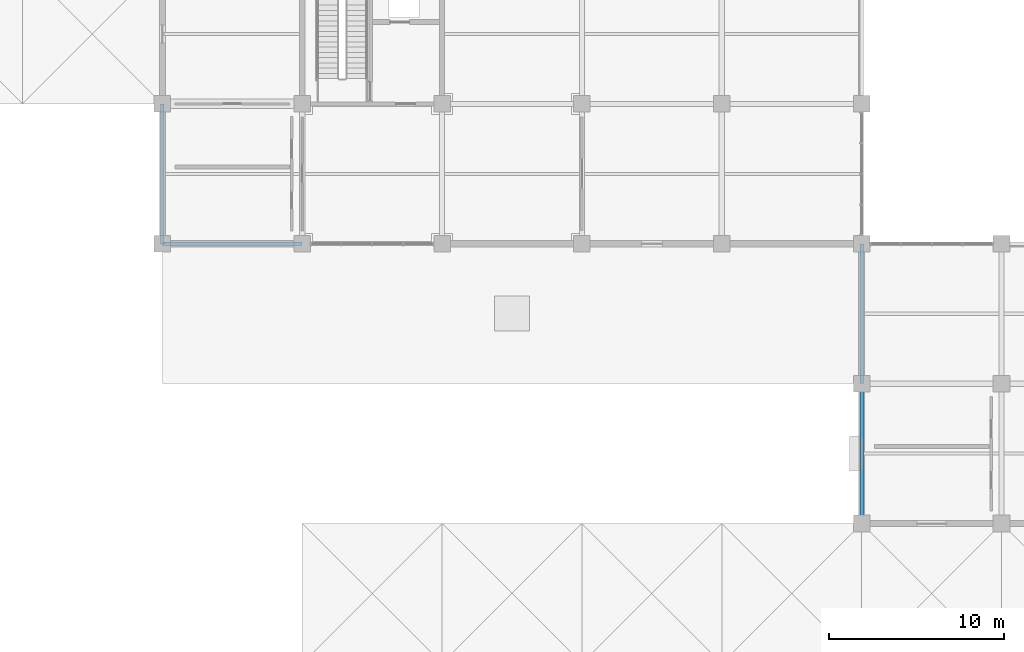
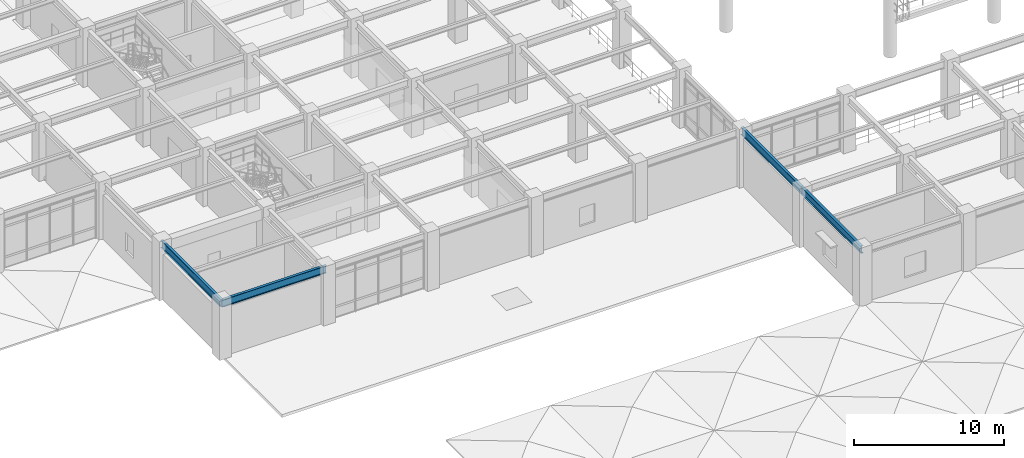
# One storey, part 7 of 109: 4 beams.
"""IFC4 building model written with IfcOpenShell, lengths in metres."""

from ifc_helpers import new_model, si_unit, direction, frame, origin, origin_2d, place, context, subcontext, project, spatial, i_section, extrude, material, material_profile, profile_set, type_object, element, save


model = new_model("IFC4")

# Units and contexts
model_context = context("Model", 3, precision=1e-05, world=origin(), true_north=direction((0.0, 1.0)))
body_context = subcontext(model_context, "Body", "Model", "MODEL_VIEW")
ifc_project = project(units=[si_unit("LENGTHUNIT", "METRE"), si_unit("AREAUNIT", "SQUARE_METRE"), si_unit("VOLUMEUNIT", "CUBIC_METRE"), si_unit("PLANEANGLEUNIT", "RADIAN"), si_unit("MASSUNIT", "GRAM", prefix="KILO")], contexts=[model_context])

# Site, building, storey
site_placement = place(None, origin())
site = spatial("IfcSite", under=ifc_project, at=site_placement, CompositionType="ELEMENT")
building_placement = place(site_placement, origin())
building = spatial("IfcBuilding", under=site, at=building_placement, Name="Haebicheon Civic Stadium", CompositionType="ELEMENT")
storey_placement = place(building_placement, frame((0.0, 0.0, 9.60009765625)))
storey = spatial("IfcBuildingStorey", under=building, at=storey_placement, Name="L03", CompositionType="ELEMENT", Elevation=9.60009765625)

# Beams
ifc_material = material(Name="Steel SM355 (S355)", Category="steel")
ifc_material_profile = material_profile(ifc_material, i_section(OverallWidth=0.199951171875, OverallDepth=0.60009765625, WebThickness=0.010986328125, FlangeThickness=0.01708984375, at=origin_2d()), Name="H-600x200x11x17")
ifc_profile_set = profile_set([ifc_material_profile], Name="Steel SM355 (S355)")
beam_type = type_object("IfcBeamType", Name="SPD-ST-H600B", PredefinedType="SPANDREL", material=ifc_profile_set)
for number, where, z_axis, x_axis, name in (
    (1, (24.0, 32.0, 4.239990234375), (0.0, 1.0, 0.0), (-1.0, 0.0, 0.0), "L03 girder 4/E-F"),
    (2, (64.0, 16.0, 4.27978515625), (0.0, 1.0, 0.0), (-1.0, 0.0, 0.0), "L03 girder 9/C-D"),
    (3, (64.0, 24.0, 4.27978515625), (0.0, 1.0, 0.0), (-1.0, 0.0, 0.0), "L03 girder 9/D-E"),
    (4, (24.0, 32.0, 4.239990234375), (1.0, 0.0, 0.0), (0.0, 1.0, 0.0), "L03 beam E/4-5"),
):
    element("IfcBeam", number, at=place(storey_placement, frame(where, z_axis=z_axis, x_axis=x_axis)), inside=storey, type_object=beam_type, material=ifc_profile_set, Name=name, PredefinedType="SPANDREL", context=body_context, shape_type="SweptSolid", body=[
        extrude(i_section(OverallWidth=0.199951171875, OverallDepth=0.60009765625, WebThickness=0.010986328125, FlangeThickness=0.01708984375, at=origin_2d()), origin(), (0.0, 0.0, 1.0), 8.0),
    ])

save(model, "model.ifc")
